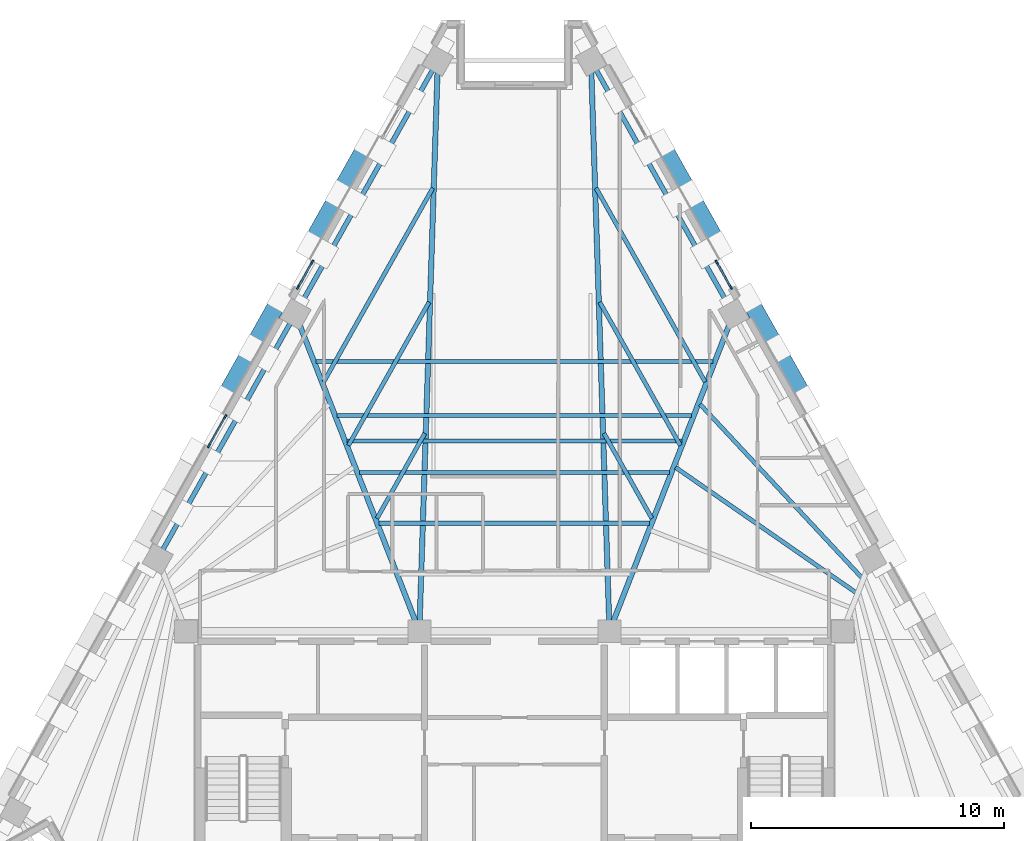
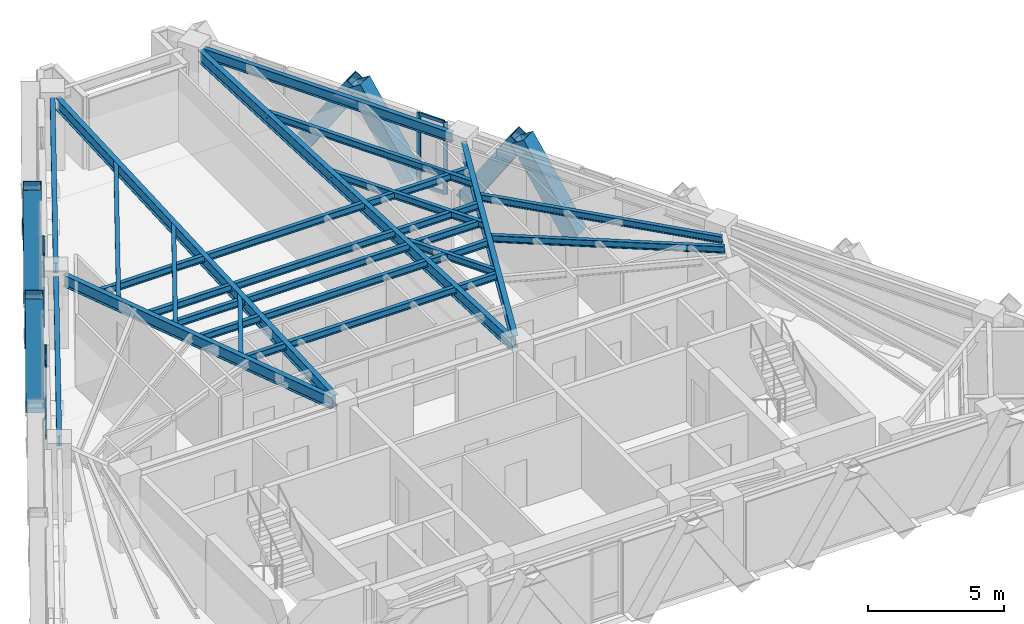
# One storey, part 3 of 13: 23 members, 20 beams, 3 elements without a shape of their own.
"""IFC4 building model written with IfcOpenShell, lengths in metres."""

from ifc_helpers import new_model, si_unit, direction, frame, origin, origin_2d, place, context, subcontext, project, spatial, rectangle, hollow_rectangle, i_section, extrude, material, material_profile, profile_set, type_object, element, aggregate, save


model = new_model("IFC4")

# Units and contexts
model_context = context("Model", 3, precision=1e-05, world=origin(), true_north=direction((0.0, 1.0)))
body_context = subcontext(model_context, "Body", "Model", "MODEL_VIEW")
ifc_project = project(units=[si_unit("LENGTHUNIT", "METRE"), si_unit("AREAUNIT", "SQUARE_METRE"), si_unit("VOLUMEUNIT", "CUBIC_METRE"), si_unit("PLANEANGLEUNIT", "RADIAN"), si_unit("MASSUNIT", "GRAM", prefix="KILO")], contexts=[model_context])

# Site, building, storey
site_placement = place(None, origin())
site = spatial("IfcSite", under=ifc_project, at=site_placement, CompositionType="ELEMENT")
building_placement = place(site_placement, origin())
building = spatial("IfcBuilding", under=site, at=building_placement, Name="Quenlor Broadcast Tower", CompositionType="ELEMENT")
storey_placement = place(building_placement, frame((0.0, 0.0, 207.89990234375)))
storey = spatial("IfcBuildingStorey", under=building, at=storey_placement, Name="L57", CompositionType="ELEMENT", Elevation=207.89990234375)

# Curtain wall, members
ifc_material_1 = material(Name="Architectural Terracotta and Low-E Glazing", Category="masonry")
curtain_wall_type = type_object("IfcCurtainWallType", Name="Unitised Terracotta Curtain Wall System Z4", PredefinedType="NOTDEFINED", material=ifc_material_1)
curtain_wall_1_placement = place(storey_placement, origin())
curtain_wall_1 = element("IfcCurtainWall", 1, at=curtain_wall_1_placement, inside=storey, type_object=curtain_wall_type, Name="L57 Curtain Wall CW4 (L57-NEA-G2)", PredefinedType="NOTDEFINED")
ifc_material_2 = material(Name="Aluminium 6063-T6", Category="aluminium")
ifc_material_profile_1 = material_profile(ifc_material_2, rectangle(XDim=0.068115234375, YDim=0.179931640625, at=origin_2d()))
ifc_profile_set_1 = profile_set([ifc_material_profile_1], Name="Aluminium 6063-T6 MULL68x180")
member_type_1 = type_object("IfcMemberType", Name="CW4 Aluminium Mullion MULL_CW4", PredefinedType="MULLION", material=ifc_profile_set_1)
member_1_placement = place(storey_placement, frame((7.979248046875, 9.755859375, 0.0), z_axis=(0.0, 0.0, 1.0), x_axis=(0.871557755022, 0.490292850918, 0.0)))
member_1 = element("IfcMember", 2, at=member_1_placement, type_object=member_type_1, Name="CW4 mullion 1", PredefinedType="MULLION", context=body_context, shape_type="SweptSolid", body=[
    extrude(rectangle(XDim=0.068115234375, YDim=0.179931640625, at=origin_2d()), origin(), (0.0, 0.0, 1.0), 3.25),
])
member_2_placement = place(storey_placement, frame((8.534912109375, 8.767822265625, 0.0), z_axis=(0.0, 0.0, 1.0), x_axis=(0.871557755022, 0.490292850918, 0.0)))
member_2 = element("IfcMember", 3, at=member_2_placement, type_object=member_type_1, Name="CW4 mullion 2", PredefinedType="MULLION", context=body_context, shape_type="SweptSolid", body=[
    extrude(rectangle(XDim=0.068115234375, YDim=0.179931640625, at=origin_2d()), origin(), (0.0, 0.0, 1.0), 3.25),
])

curtain_wall_2_placement = place(storey_placement, origin())
curtain_wall_2 = element("IfcCurtainWall", 4, at=curtain_wall_2_placement, inside=storey, type_object=curtain_wall_type, Name="L57 Curtain Wall CW4 (L57-NWC-G1)", PredefinedType="NOTDEFINED")
member_3_placement = place(storey_placement, frame((-8.534912109375, 8.767822265625, 0.0), z_axis=(0.0, 0.0, 1.0), x_axis=(-0.871557755022, 0.490292850918, 0.0)))
member_3 = element("IfcMember", 5, at=member_3_placement, type_object=member_type_1, Name="CW4 mullion 1", PredefinedType="MULLION", context=body_context, shape_type="SweptSolid", body=[
    extrude(rectangle(XDim=0.068115234375, YDim=0.179931640625, at=origin_2d()), origin(), (0.0, 0.0, 1.0), 3.25),
])
member_4_placement = place(storey_placement, frame((-7.979248046875, 9.755859375, 0.0), z_axis=(0.0, 0.0, 1.0), x_axis=(-0.871557755022, 0.490292850918, 0.0)))
member_4 = element("IfcMember", 6, at=member_4_placement, type_object=member_type_1, Name="CW4 mullion 2", PredefinedType="MULLION", context=body_context, shape_type="SweptSolid", body=[
    extrude(rectangle(XDim=0.068115234375, YDim=0.179931640625, at=origin_2d()), origin(), (0.0, 0.0, 1.0), 3.25),
])

curtain_wall_3_placement = place(storey_placement, origin())
curtain_wall_3 = element("IfcCurtainWall", 7, at=curtain_wall_3_placement, inside=storey, type_object=curtain_wall_type, Name="L57 Curtain Wall CW4 (L57-NW-G1)", PredefinedType="NOTDEFINED")
member_5_placement = place(storey_placement, frame((-12.049560546875, 2.519775390625, 0.0), z_axis=(0.0, 0.0, 1.0), x_axis=(-0.871560008943, 0.490288844266, 0.0)))
member_5 = element("IfcMember", 8, at=member_5_placement, type_object=member_type_1, Name="CW4 mullion 1", PredefinedType="MULLION", context=body_context, shape_type="SweptSolid", body=[
    extrude(rectangle(XDim=0.068115234375, YDim=0.179931640625, at=origin_2d()), origin(), (0.0, 0.0, 1.0), 3.25),
])
member_6_placement = place(storey_placement, frame((-11.408203125, 3.65966796875, 0.0), z_axis=(0.0, 0.0, 1.0), x_axis=(-0.871560008943, 0.490288844266, 0.0)))
member_6 = element("IfcMember", 9, at=member_6_placement, type_object=member_type_1, Name="CW4 mullion 2", PredefinedType="MULLION", context=body_context, shape_type="SweptSolid", body=[
    extrude(rectangle(XDim=0.068115234375, YDim=0.179931640625, at=origin_2d()), origin(), (0.0, 0.0, 1.0), 3.25),
])

# Member
ifc_material_3 = material(Name="Aluminium 6063-T6", Category="aluminium")
ifc_material_profile_2 = material_profile(ifc_material_3, rectangle(XDim=0.068115234375, YDim=0.14990234375, at=origin_2d()))
ifc_profile_set_2 = profile_set([ifc_material_profile_2], Name="Aluminium 6063-T6 TRAN68x150")
member_type_2 = type_object("IfcMemberType", Name="CW4 Aluminium Transom TRAN_CW4", PredefinedType="USERDEFINED", material=ifc_profile_set_2)
member_7_placement = place(storey_placement, frame((7.995849609375, 9.72607421875, 0.0341796875), z_axis=(0.490304750356, -0.871551060913, 0.0), x_axis=(0.871551060913, 0.490304750356, 0.0)))
member_7 = element("IfcMember", 10, at=member_7_placement, type_object=member_type_2, Name="CW4 transom 1.1", ObjectType="TRANSOM", PredefinedType="USERDEFINED", context=body_context, shape_type="SweptSolid", body=[
    extrude(rectangle(XDim=0.068115234375, YDim=0.14990234375, at=origin_2d()), origin(), (0.0, 0.0, 1.0), 1.065673828125),
])

member_8_placement = place(storey_placement, frame((7.995849609375, 9.72607421875, 0.9501953125), z_axis=(0.490304750356, -0.871551060913, 0.0), x_axis=(0.871551060913, 0.490304750356, 0.0)))
member_8 = element("IfcMember", 11, at=member_8_placement, type_object=member_type_2, Name="CW4 transom 1.2", ObjectType="TRANSOM", PredefinedType="USERDEFINED", context=body_context, shape_type="SweptSolid", body=[
    extrude(rectangle(XDim=0.068115234375, YDim=0.14990234375, at=origin_2d()), origin(), (0.0, 0.0, 1.0), 1.065673828125),
])

member_9_placement = place(storey_placement, frame((7.995849609375, 9.72607421875, 3.216064453125), z_axis=(0.490304750356, -0.871551060913, 0.0), x_axis=(0.871551060913, 0.490304750356, 0.0)))
member_9 = element("IfcMember", 12, at=member_9_placement, type_object=member_type_2, Name="CW4 transom 1.3", ObjectType="TRANSOM", PredefinedType="USERDEFINED", context=body_context, shape_type="SweptSolid", body=[
    extrude(rectangle(XDim=0.068115234375, YDim=0.14990234375, at=origin_2d()), origin(), (0.0, 0.0, 1.0), 1.065673828125),
])

aggregate(curtain_wall_1, [member_1, member_2, member_7, member_8, member_9])

member_10_placement = place(storey_placement, frame((-8.518310546875, 8.79736328125, 0.0341796875), z_axis=(0.490304750356, 0.871551060913, 0.0), x_axis=(-0.871551060913, 0.490304750356, 0.0)))
member_10 = element("IfcMember", 13, at=member_10_placement, type_object=member_type_2, Name="CW4 transom 1.1", ObjectType="TRANSOM", PredefinedType="USERDEFINED", context=body_context, shape_type="SweptSolid", body=[
    extrude(rectangle(XDim=0.068115234375, YDim=0.14990234375, at=origin_2d()), origin(), (0.0, 0.0, 1.0), 1.065673828125),
])

member_11_placement = place(storey_placement, frame((-8.518310546875, 8.79736328125, 0.9501953125), z_axis=(0.490304750356, 0.871551060913, 0.0), x_axis=(-0.871551060913, 0.490304750356, 0.0)))
member_11 = element("IfcMember", 14, at=member_11_placement, type_object=member_type_2, Name="CW4 transom 1.2", ObjectType="TRANSOM", PredefinedType="USERDEFINED", context=body_context, shape_type="SweptSolid", body=[
    extrude(rectangle(XDim=0.068115234375, YDim=0.14990234375, at=origin_2d()), origin(), (0.0, 0.0, 1.0), 1.065673828125),
])

member_12_placement = place(storey_placement, frame((-8.518310546875, 8.79736328125, 3.216064453125), z_axis=(0.490304750356, 0.871551060913, 0.0), x_axis=(-0.871551060913, 0.490304750356, 0.0)))
member_12 = element("IfcMember", 15, at=member_12_placement, type_object=member_type_2, Name="CW4 transom 1.3", ObjectType="TRANSOM", PredefinedType="USERDEFINED", context=body_context, shape_type="SweptSolid", body=[
    extrude(rectangle(XDim=0.068115234375, YDim=0.14990234375, at=origin_2d()), origin(), (0.0, 0.0, 1.0), 1.065673828125),
])

aggregate(curtain_wall_2, [member_3, member_4, member_10, member_11, member_12])

member_13_placement = place(storey_placement, frame((-12.032958984375, 2.54931640625, 0.0341796875), z_axis=(0.490233197009, 0.871591310506, 0.0), x_axis=(-0.871591310506, 0.490233197009, 0.0)))
member_13 = element("IfcMember", 16, at=member_13_placement, type_object=member_type_2, Name="CW4 transom 1.1", ObjectType="TRANSOM", PredefinedType="USERDEFINED", context=body_context, shape_type="SweptSolid", body=[
    extrude(rectangle(XDim=0.068115234375, YDim=0.14990234375, at=origin_2d()), origin(), (0.0, 0.0, 1.0), 1.239990234375),
])

member_14_placement = place(storey_placement, frame((-12.032958984375, 2.54931640625, 0.9501953125), z_axis=(0.490233197009, 0.871591310506, 0.0), x_axis=(-0.871591310506, 0.490233197009, 0.0)))
member_14 = element("IfcMember", 17, at=member_14_placement, type_object=member_type_2, Name="CW4 transom 1.2", ObjectType="TRANSOM", PredefinedType="USERDEFINED", context=body_context, shape_type="SweptSolid", body=[
    extrude(rectangle(XDim=0.068115234375, YDim=0.14990234375, at=origin_2d()), origin(), (0.0, 0.0, 1.0), 1.239990234375),
])

member_15_placement = place(storey_placement, frame((-12.032958984375, 2.54931640625, 3.216064453125), z_axis=(0.490233197009, 0.871591310506, 0.0), x_axis=(-0.871591310506, 0.490233197009, 0.0)))
member_15 = element("IfcMember", 18, at=member_15_placement, type_object=member_type_2, Name="CW4 transom 1.3", ObjectType="TRANSOM", PredefinedType="USERDEFINED", context=body_context, shape_type="SweptSolid", body=[
    extrude(rectangle(XDim=0.068115234375, YDim=0.14990234375, at=origin_2d()), origin(), (0.0, 0.0, 1.0), 1.239990234375),
])

aggregate(curtain_wall_3, [member_5, member_6, member_13, member_14, member_15])

# Members
ifc_material_4 = material(Name="Steel S355", Category="steel")
ifc_material_profile_3 = material_profile(ifc_material_4, hollow_rectangle(XDim=0.679931640625, YDim=0.679931640625, WallThickness=0.02490234375, at=origin_2d()))
ifc_profile_set_3 = profile_set([ifc_material_profile_3], Name="Steel S355 RHS680x680x25")
member_type_3 = type_object("IfcMemberType", Name="Perimeter Diagonal Lattice Brace Z3-Z4 Steel S355 RHS680x25", PredefinedType="BRACE", material=ifc_profile_set_3)
member_16_placement = place(storey_placement, frame((5.79345703125, 14.447509765625, -0.119873046875), z_axis=(0.269485495908, -0.479188912076, 0.835317636614), x_axis=(0.871620820774, 0.490180726664, 0.0)))
element("IfcMember", 19, at=member_16_placement, inside=storey, type_object=member_type_3, Name="L57 Perimeter Diamond Lattice NE-C1S", PredefinedType="BRACE", context=body_context, shape_type="SweptSolid", body=[
    extrude(hollow_rectangle(XDim=0.679931640625, YDim=0.679931640625, WallThickness=0.02490234375, at=origin_2d()), origin(), (0.0, 0.0, 1.0), 4.18994140625),
])
member_17_placement = place(storey_placement, frame((9.222412109375, 8.351318359375, -0.119873046875), z_axis=(0.269539530269, -0.479181387144, 0.835304519224), x_axis=(0.871575537125, 0.490261239633, 0.0)))
element("IfcMember", 20, at=member_17_placement, inside=storey, type_object=member_type_3, Name="L57 Perimeter Diamond Lattice NE-C2S", PredefinedType="BRACE", context=body_context, shape_type="SweptSolid", body=[
    extrude(hollow_rectangle(XDim=0.679931640625, YDim=0.679931640625, WallThickness=0.02490234375, at=origin_2d()), origin(), (0.0, 0.0, 1.0), 4.190185546875),
])
for number, where, z_axis, x_axis, name in (
    (21, (8.065673828125, 10.40771484375, -0.119873046875), (-0.269547055694, 0.479136497832, 0.835327840559), (-0.871550060774, -0.49030652817, 0.0), "L57 Perimeter Diamond Lattice NE-C2B"),
    (22, (11.494873046875, 4.3115234375, -0.119873046875), (-0.269547055694, 0.479136497832, 0.835327840559), (-0.871550060774, -0.49030652817, 0.0), "L57 Perimeter Diamond Lattice NE-C3B"),
    (23, (-11.494873046875, 4.3115234375, -0.119873046875), (0.269547055694, 0.479136497832, 0.835327840559), (-0.871550060774, 0.49030652817, 0.0), "L57 Perimeter Diamond Lattice NW-C3S"),
    (24, (-8.065673828125, 10.40771484375, -0.119873046875), (0.269547055694, 0.479136497832, 0.835327840559), (-0.871550060774, 0.49030652817, 0.0), "L57 Perimeter Diamond Lattice NW-C4S"),
):
    element("IfcMember", number, at=place(storey_placement, frame(where, z_axis=z_axis, x_axis=x_axis)), inside=storey, type_object=member_type_3, Name=name, PredefinedType="BRACE", context=body_context, shape_type="SweptSolid", body=[
        extrude(hollow_rectangle(XDim=0.679931640625, YDim=0.679931640625, WallThickness=0.02490234375, at=origin_2d()), origin(), (0.0, 0.0, 1.0), 4.18994140625),
    ])
member_18_placement = place(storey_placement, frame((-9.222412109375, 8.351318359375, -0.119873046875), z_axis=(-0.269539530269, -0.479181387144, 0.835304519224), x_axis=(0.871575537125, -0.490261239633, 0.0)))
element("IfcMember", 25, at=member_18_placement, inside=storey, type_object=member_type_3, Name="L57 Perimeter Diamond Lattice NW-C4B", PredefinedType="BRACE", context=body_context, shape_type="SweptSolid", body=[
    extrude(hollow_rectangle(XDim=0.679931640625, YDim=0.679931640625, WallThickness=0.02490234375, at=origin_2d()), origin(), (0.0, 0.0, 1.0), 4.190185546875),
])
member_19_placement = place(storey_placement, frame((-5.79345703125, 14.447509765625, -0.119873046875), z_axis=(-0.269485495908, -0.479188912076, 0.835317636614), x_axis=(0.871620820774, -0.490180726664, 0.0)))
element("IfcMember", 26, at=member_19_placement, inside=storey, type_object=member_type_3, Name="L57 Perimeter Diamond Lattice NW-C5B", PredefinedType="BRACE", context=body_context, shape_type="SweptSolid", body=[
    extrude(hollow_rectangle(XDim=0.679931640625, YDim=0.679931640625, WallThickness=0.02490234375, at=origin_2d()), origin(), (0.0, 0.0, 1.0), 4.18994140625),
])

# Beams
ifc_material_5 = material(Name="Steel S355", Category="steel")
ifc_material_profile_4 = material_profile(ifc_material_5, i_section(OverallWidth=0.18994140625, OverallDepth=0.453857421875, WebThickness=0.008544921875, FlangeThickness=0.0126953125, FilletRadius=0.011474609375, at=origin_2d()))
ifc_profile_set_4 = profile_set([ifc_material_profile_4], Name="Steel S355 460UB67.1")
beam_type_1 = type_object("IfcBeamType", Name="Perimeter Spandrel Beam Z4 Steel S355 460UB67.1", PredefinedType="SPANDREL", material=ifc_profile_set_4)
for number, where, z_axis, x_axis, name in (
    (27, (8.438720703125, 8.072265625, 3.023193359375), (-0.490281935429, 0.871563895415, 0.0), (-0.871563895415, -0.490281935429, 0.0), "L57 Spandrel Beam NE3-NE4"),
    (28, (-3.221435546875, 17.346923828125, 3.023193359375), (-0.490281935429, -0.871563895415, 0.0), (0.871563895415, -0.490281935429, 0.0), "L57 Spandrel Beam NW1-NW2"),
):
    element("IfcBeam", number, at=place(storey_placement, frame(where, z_axis=z_axis, x_axis=x_axis)), inside=storey, type_object=beam_type_1, Name=name, PredefinedType="SPANDREL", context=body_context, shape_type="SweptSolid", body=[
        extrude(i_section(OverallWidth=0.18994140625, OverallDepth=0.453857421875, WebThickness=0.008544921875, FlangeThickness=0.0126953125, FilletRadius=0.011474609375, at=origin_2d()), origin(), (0.0, 0.0, 1.0), 10.641357421875),
    ])
beam_1_placement = place(storey_placement, frame((-8.840576171875, 7.357666015625, 3.023193359375), z_axis=(-0.490263496537, -0.871574267612, 0.0), x_axis=(0.871574267612, -0.490263496537, 0.0)))
element("IfcBeam", 29, at=beam_1_placement, inside=storey, type_object=beam_type_1, Name="L57 Spandrel Beam NW2-NW3", PredefinedType="SPANDREL", context=body_context, shape_type="SweptSolid", body=[
    extrude(i_section(OverallWidth=0.18994140625, OverallDepth=0.453857421875, WebThickness=0.008544921875, FlangeThickness=0.0126953125, FilletRadius=0.011474609375, at=origin_2d()), origin(), (0.0, 0.0, 1.0), 10.271728515625),
])
ifc_material_6 = material(Name="Steel S355", Category="steel")
ifc_material_profile_5 = material_profile(ifc_material_6, i_section(OverallWidth=0.166015625, OverallDepth=0.30712890625, WebThickness=0.006591796875, FlangeThickness=0.01171875, FilletRadius=0.011474609375, at=origin_2d()))
ifc_profile_set_5 = profile_set([ifc_material_profile_5], Name="Steel S355 310UB46.2")
beam_type_2 = type_object("IfcBeamType", Name="Tower Composite Joist Z4-Z5 Steel S355 310UB46.2", PredefinedType="JOIST", material=ifc_profile_set_5)
beam_2_placement = place(storey_placement, frame((-6.603759765625, 2.708984375, 3.096435546875), z_axis=(1.0, 0.0, 0.0), x_axis=(0.0, 1.0, 0.0)))
element("IfcBeam", 30, at=beam_2_placement, inside=storey, type_object=beam_type_2, Name="L57 Secondary Composite Joist 2", PredefinedType="JOIST", context=body_context, shape_type="SweptSolid", body=[
    extrude(i_section(OverallWidth=0.166015625, OverallDepth=0.30712890625, WebThickness=0.006591796875, FlangeThickness=0.01171875, FilletRadius=0.011474609375, at=origin_2d()), origin(), (0.0, 0.0, 1.0), 13.20751953125),
])
beam_3_placement = place(storey_placement, frame((-5.33251953125, -0.544921875, 3.096435546875), z_axis=(1.0, 0.0, 0.0), x_axis=(0.0, 1.0, 0.0)))
element("IfcBeam", 31, at=beam_3_placement, inside=storey, type_object=beam_type_2, Name="L57 Secondary Composite Joist 3", PredefinedType="JOIST", context=body_context, shape_type="SweptSolid", body=[
    extrude(i_section(OverallWidth=0.166015625, OverallDepth=0.30712890625, WebThickness=0.006591796875, FlangeThickness=0.01171875, FilletRadius=0.011474609375, at=origin_2d()), origin(), (0.0, 0.0, 1.0), 10.6650390625),
])
beam_4_placement = place(storey_placement, frame((-6.11474609375, 1.45751953125, 3.096435546875), z_axis=(1.0, 0.0, 0.0), x_axis=(0.0, 1.0, 0.0)))
element("IfcBeam", 32, at=beam_4_placement, inside=storey, type_object=beam_type_2, Name="L57 Secondary Composite Joist 4", PredefinedType="JOIST", context=body_context, shape_type="SweptSolid", body=[
    extrude(i_section(OverallWidth=0.166015625, OverallDepth=0.30712890625, WebThickness=0.006591796875, FlangeThickness=0.01171875, FilletRadius=0.011474609375, at=origin_2d()), origin(), (0.0, 0.0, 1.0), 12.2294921875),
])
beam_5_placement = place(storey_placement, frame((-6.994873046875, 3.710205078125, 3.096435546875), z_axis=(1.0, 0.0, 0.0), x_axis=(0.0, 1.0, 0.0)))
element("IfcBeam", 33, at=beam_5_placement, inside=storey, type_object=beam_type_2, Name="L57 Secondary Composite Joist 5", PredefinedType="JOIST", context=body_context, shape_type="SweptSolid", body=[
    extrude(i_section(OverallWidth=0.166015625, OverallDepth=0.30712890625, WebThickness=0.006591796875, FlangeThickness=0.01171875, FilletRadius=0.011474609375, at=origin_2d()), origin(), (0.0, 0.0, 1.0), 13.98974609375),
])
beam_6_placement = place(storey_placement, frame((-7.826171875, 5.837646484375, 3.096435546875), z_axis=(1.0, 0.0, 0.0), x_axis=(0.0, 1.0, 0.0)))
element("IfcBeam", 34, at=beam_6_placement, inside=storey, type_object=beam_type_2, Name="L57 Secondary Composite Joist 6", PredefinedType="JOIST", context=body_context, shape_type="SweptSolid", body=[
    extrude(i_section(OverallWidth=0.166015625, OverallDepth=0.30712890625, WebThickness=0.006591796875, FlangeThickness=0.01171875, FilletRadius=0.011474609375, at=origin_2d()), origin(), (0.0, 0.0, 1.0), 15.65234375),
])
beam_7_placement = place(storey_placement, frame((13.470458984375, -3.273681640625, 3.096435546875), z_axis=(-0.821539857981, 0.570151086773, 0.0), x_axis=(-0.570151086773, -0.821539857981, 0.0)))
element("IfcBeam", 35, at=beam_7_placement, inside=storey, type_object=beam_type_2, Name="L57 Secondary Composite Joist 11", PredefinedType="JOIST", context=body_context, shape_type="SweptSolid", body=[
    extrude(i_section(OverallWidth=0.166015625, OverallDepth=0.30712890625, WebThickness=0.006591796875, FlangeThickness=0.01171875, FilletRadius=0.011474609375, at=origin_2d()), origin(), (0.0, 0.0, 1.0), 8.656982421875),
])
beam_8_placement = place(storey_placement, frame((13.707275390625, -2.691162109375, 3.096435546875), z_axis=(-0.682034672805, 0.731319837754, 0.0), x_axis=(-0.731319837754, -0.682034672805, 0.0)))
element("IfcBeam", 36, at=beam_8_placement, inside=storey, type_object=beam_type_2, Name="L57 Secondary Composite Joist 12", PredefinedType="JOIST", context=body_context, shape_type="SweptSolid", body=[
    extrude(i_section(OverallWidth=0.166015625, OverallDepth=0.30712890625, WebThickness=0.006591796875, FlangeThickness=0.01171875, FilletRadius=0.011474609375, at=origin_2d()), origin(), (0.0, 0.0, 1.0), 9.357421875),
])
beam_9_placement = place(storey_placement, frame((-3.533935546875, 3.0068359375, 3.096435546875), z_axis=(-0.490243182397, -0.871585694073, 0.0), x_axis=(0.871585694073, -0.490243182397, 0.0)))
element("IfcBeam", 37, at=beam_9_placement, inside=storey, type_object=beam_type_2, Name="L57 Secondary Composite Joist 25", PredefinedType="JOIST", context=body_context, shape_type="SweptSolid", body=[
    extrude(i_section(OverallWidth=0.166015625, OverallDepth=0.30712890625, WebThickness=0.006591796875, FlangeThickness=0.01171875, FilletRadius=0.011474609375, at=origin_2d()), origin(), (0.0, 0.0, 1.0), 3.8515625),
])
beam_10_placement = place(storey_placement, frame((-3.3662109375, 8.182861328125, 3.096435546875), z_axis=(-0.490230865807, -0.871592621705, 0.0), x_axis=(0.871592621705, -0.490230865807, 0.0)))
element("IfcBeam", 38, at=beam_10_placement, inside=storey, type_object=beam_type_2, Name="L57 Secondary Composite Joist 26", PredefinedType="JOIST", context=body_context, shape_type="SweptSolid", body=[
    extrude(i_section(OverallWidth=0.166015625, OverallDepth=0.30712890625, WebThickness=0.006591796875, FlangeThickness=0.01171875, FilletRadius=0.011474609375, at=origin_2d()), origin(), (0.0, 0.0, 1.0), 6.487548828125),
])
beam_11_placement = place(storey_placement, frame((-3.22021484375, 12.68359375, 3.096435546875), z_axis=(-0.490261239633, -0.871575537125, 0.0), x_axis=(0.871575537125, -0.490261239633, 0.0)))
element("IfcBeam", 39, at=beam_11_placement, inside=storey, type_object=beam_type_2, Name="L57 Secondary Composite Joist 27", PredefinedType="JOIST", context=body_context, shape_type="SweptSolid", body=[
    extrude(i_section(OverallWidth=0.166015625, OverallDepth=0.30712890625, WebThickness=0.006591796875, FlangeThickness=0.01171875, FilletRadius=0.011474609375, at=origin_2d()), origin(), (0.0, 0.0, 1.0), 8.77978515625),
])
beam_12_placement = place(storey_placement, frame((3.533935546875, 3.0068359375, 3.096435546875), z_axis=(0.490243182397, -0.871585694073, 0.0), x_axis=(0.871585694073, 0.490243182397, 0.0)))
element("IfcBeam", 40, at=beam_12_placement, inside=storey, type_object=beam_type_2, Name="L57 Secondary Composite Joist 28", PredefinedType="JOIST", context=body_context, shape_type="SweptSolid", body=[
    extrude(i_section(OverallWidth=0.166015625, OverallDepth=0.30712890625, WebThickness=0.006591796875, FlangeThickness=0.01171875, FilletRadius=0.011474609375, at=origin_2d()), origin(), (0.0, 0.0, 1.0), 3.8515625),
])
beam_13_placement = place(storey_placement, frame((3.3662109375, 8.182861328125, 3.096435546875), z_axis=(0.490230865807, -0.871592621705, 0.0), x_axis=(0.871592621705, 0.490230865807, 0.0)))
element("IfcBeam", 41, at=beam_13_placement, inside=storey, type_object=beam_type_2, Name="L57 Secondary Composite Joist 29", PredefinedType="JOIST", context=body_context, shape_type="SweptSolid", body=[
    extrude(i_section(OverallWidth=0.166015625, OverallDepth=0.30712890625, WebThickness=0.006591796875, FlangeThickness=0.01171875, FilletRadius=0.011474609375, at=origin_2d()), origin(), (0.0, 0.0, 1.0), 6.487548828125),
])
beam_14_placement = place(storey_placement, frame((3.22021484375, 12.68359375, 3.096435546875), z_axis=(0.490261239633, -0.871575537125, 0.0), x_axis=(0.871575537125, 0.490261239633, 0.0)))
element("IfcBeam", 42, at=beam_14_placement, inside=storey, type_object=beam_type_2, Name="L57 Secondary Composite Joist 30", PredefinedType="JOIST", context=body_context, shape_type="SweptSolid", body=[
    extrude(i_section(OverallWidth=0.166015625, OverallDepth=0.30712890625, WebThickness=0.006591796875, FlangeThickness=0.01171875, FilletRadius=0.011474609375, at=origin_2d()), origin(), (0.0, 0.0, 1.0), 8.77978515625),
])
ifc_material_7 = material(Name="Steel S355", Category="steel")
ifc_material_profile_6 = material_profile(ifc_material_7, i_section(OverallWidth=0.208984375, OverallDepth=0.5283203125, WebThickness=0.009521484375, FlangeThickness=0.01318359375, FilletRadius=0.013916015625, at=origin_2d()))
ifc_profile_set_6 = profile_set([ifc_material_profile_6], Name="Steel S355 530UB82.0")
beam_type_3 = type_object("IfcBeamType", Name="Tower Primary Floor Beam Z4 Steel S355 530UB82.0", PredefinedType="BEAM", material=ifc_profile_set_6)
beam_15_placement = place(storey_placement, frame((8.490478515625, 7.3330078125, 2.986083984375), z_axis=(-0.363926160921, -0.931427801495, 0.0), x_axis=(0.931427801495, -0.363926160921, 0.0)))
element("IfcBeam", 43, at=beam_15_placement, inside=storey, type_object=beam_type_3, Name="L57 Primary Radial Beam NE3", PredefinedType="BEAM", context=body_context, shape_type="SweptSolid", body=[
    extrude(i_section(OverallWidth=0.208984375, OverallDepth=0.5283203125, WebThickness=0.009521484375, FlangeThickness=0.01318359375, FilletRadius=0.013916015625, at=origin_2d()), origin(), (0.0, 0.0, 1.0), 12.646240234375),
])
for number, where, z_axis, x_axis, name in (
    (44, (3.03369140625, 17.29443359375, 2.986083984375), (0.032408228632, -0.999474715397, 0.0), (0.999474715397, 0.032408228632, 0.0), "L57 Primary Radial Beam NE4"),
    (45, (-3.03369140625, 17.29443359375, 2.986083984375), (-0.032408228632, -0.999474715397, 0.0), (0.999474715397, -0.032408228632, 0.0), "L57 Primary Radial Beam NW1"),
):
    element("IfcBeam", number, at=place(storey_placement, frame(where, z_axis=z_axis, x_axis=x_axis)), inside=storey, type_object=beam_type_3, Name=name, PredefinedType="BEAM", context=body_context, shape_type="SweptSolid", body=[
        extrude(i_section(OverallWidth=0.208984375, OverallDepth=0.5283203125, WebThickness=0.009521484375, FlangeThickness=0.01318359375, FilletRadius=0.013916015625, at=origin_2d()), origin(), (0.0, 0.0, 1.0), 21.72607421875),
    ])
beam_16_placement = place(storey_placement, frame((-8.490478515625, 7.3330078125, 2.986083984375), z_axis=(0.363926160921, -0.931427801495, 0.0), x_axis=(0.931427801495, 0.363926160921, 0.0)))
element("IfcBeam", 46, at=beam_16_placement, inside=storey, type_object=beam_type_3, Name="L57 Primary Radial Beam NW2", PredefinedType="BEAM", context=body_context, shape_type="SweptSolid", body=[
    extrude(i_section(OverallWidth=0.208984375, OverallDepth=0.5283203125, WebThickness=0.009521484375, FlangeThickness=0.01318359375, FilletRadius=0.013916015625, at=origin_2d()), origin(), (0.0, 0.0, 1.0), 12.646240234375),
])

save(model, "model.ifc")
